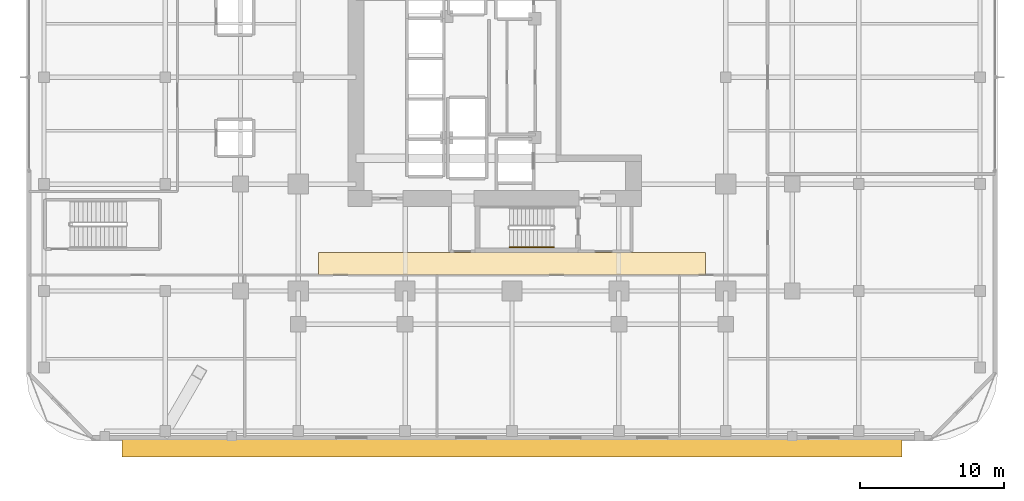
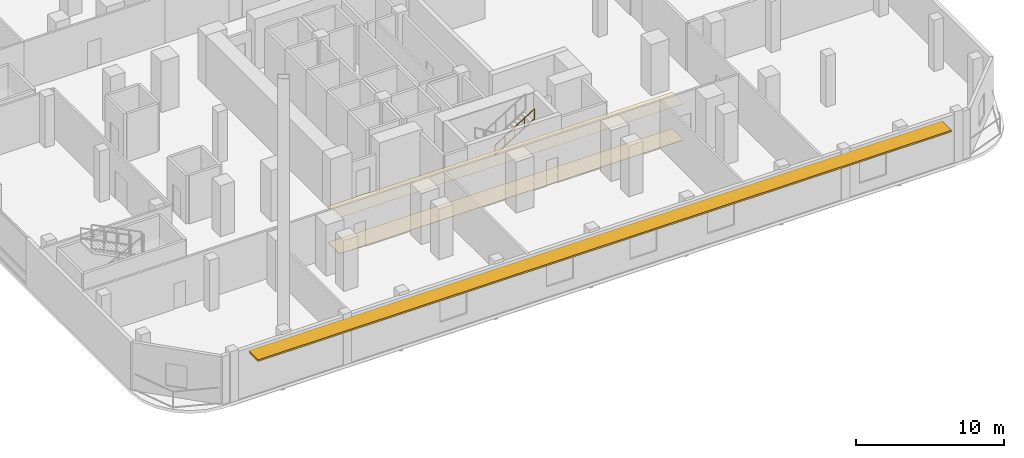
# One storey, part 14 of 19: 2 coverings, 1 railing, 1 shading device.
"""IFC4 building model written with IfcOpenShell, lengths in metres."""

from ifc_helpers import new_model, si_unit, direction, frame, origin, origin_2d, place, context, subcontext, project, spatial, polyline, rectangle, outline, extrude, material, layer, layer_set, type_object, element, save


model = new_model("IFC4")

# Units and contexts
model_context = context("Model", 3, precision=1e-05, world=origin(), true_north=direction((0.0, 1.0)))
body_context = subcontext(model_context, "Body", "Model", "MODEL_VIEW")
ifc_project = project(units=[si_unit("LENGTHUNIT", "METRE"), si_unit("AREAUNIT", "SQUARE_METRE"), si_unit("VOLUMEUNIT", "CUBIC_METRE"), si_unit("PLANEANGLEUNIT", "RADIAN"), si_unit("MASSUNIT", "GRAM", prefix="KILO")], contexts=[model_context])

# Site, building, storey
site_placement = place(None, origin())
site = spatial("IfcSite", under=ifc_project, at=site_placement, CompositionType="ELEMENT")
building_placement = place(site_placement, origin())
building = spatial("IfcBuilding", under=site, at=building_placement, Name="Khorvyn Point Tower", CompositionType="ELEMENT")
storey_placement = place(building_placement, frame((0.0, 0.0, 4.800048828125)))
storey = spatial("IfcBuildingStorey", under=building, at=storey_placement, Name="L02", CompositionType="ELEMENT", Elevation=4.800048828125)

# Shading device
ifc_material_1 = material(Name="Bronze anodised aluminium 6063-T6", Category="aluminium")
ifc_layer_1 = layer(ifc_material_1, 0.139892578125)
ifc_layer_set_1 = layer_set([ifc_layer_1], Name="Anodised Aluminium Horizontal Monsoon Sunshade Canopy")
shading_device_type = type_object("IfcShadingDeviceType", Name="Anodised Aluminium Horizontal Monsoon Sunshade Canopy", PredefinedType="AWNING", material=ifc_layer_set_1)
shading_device_placement = place(storey_placement, frame((0.0, 0.0, 3.5400390625)))
element("IfcShadingDevice", 1, at=shading_device_placement, inside=storey, type_object=shading_device_type, Name="L02 South Classroom Monsoon Sunshade", PredefinedType="AWNING", context=body_context, shape_type="SweptSolid", body=[
    extrude(outline(polyline([(-27.0, -26.280029296875), (27.0, -26.280029296875), (27.0, -25.030029296875), (-27.0, -25.030029296875), (-27.0, -26.280029296875)])), origin(), (0.0, 0.0, 1.0), 0.139892578125),
])

# Coverings
ifc_material_2 = material(Name="Mineral-fibre acoustic ceiling board", Category="gypsum")
ifc_layer_2 = layer(ifc_material_2, 0.02001953125)
ifc_layer_set_2 = layer_set([ifc_layer_2], Name="Perforated Mineral-Fibre Acoustic Suspended Ceiling 20")
covering_type_1 = type_object("IfcCoveringType", Name="Perforated Mineral-Fibre Acoustic Suspended Ceiling 20", PredefinedType="CEILING", material=ifc_layer_set_2)
covering_1_placement = place(storey_placement, frame((0.0, 0.0, 2.97998046875)))
element("IfcCovering", 2, at=covering_1_placement, inside=storey, type_object=covering_type_1, Name="L02 South Corridor Acoustic Ceiling", PredefinedType="CEILING", context=body_context, shape_type="SweptSolid", body=[
    extrude(outline(polyline([(-13.39990234375, -13.7099609375), (13.39990234375, -13.7099609375), (13.39990234375, -12.139892578125), (-13.39990234375, -12.139892578125), (-13.39990234375, -13.7099609375)])), origin(), (0.0, 0.0, 1.0), 0.02001953125),
])
ifc_material_3 = material(Name="Vitrified porcelain terrazzo tile", Category="ceramic")
ifc_layer_3 = layer(ifc_material_3, 0.01806640625)
ifc_layer_set_3 = layer_set([ifc_layer_3], Name="Porcelain Terrazzo Corridor Floor Finish Tile 18")
covering_type_2 = type_object("IfcCoveringType", Name="Porcelain Terrazzo Corridor Floor Finish Tile 18", PredefinedType="FLOORING", material=ifc_layer_set_3)
covering_2_placement = place(storey_placement, origin())
element("IfcCovering", 3, at=covering_2_placement, inside=storey, type_object=covering_type_2, Name="L02 South Corridor Terrazzo Flooring", PredefinedType="FLOORING", context=body_context, shape_type="SweptSolid", body=[
    extrude(outline(polyline([(-13.39990234375, -13.7099609375), (13.39990234375, -13.7099609375), (13.39990234375, -12.139892578125), (-13.39990234375, -12.139892578125), (-13.39990234375, -13.7099609375)])), origin(), (0.0, 0.0, 1.0), 0.01806640625),
])

# Railing
ifc_material_4 = material(Name="Stainless steel 1.4301", Category="steel")
railing_type = type_object("IfcRailingType", Name="Stainless Steel 304 Stair Pitch Handrail 900", PredefinedType="HANDRAIL", material=ifc_material_4)
railing_placement = place(storey_placement, frame((-0.179931640625, -11.77001953125, 2.27490234375)))
element("IfcRailing", 4, at=railing_placement, inside=storey, type_object=railing_type, Name="L02 ST-01 stair handrail 2", PredefinedType="HANDRAIL", context=body_context, shape_type="SweptSolid", body=[
    extrude(rectangle(XDim=0.048095703125, YDim=0.048095703125, at=origin_2d()), frame((0.0, 0.0, 0.8759765625), z_axis=(0.847979421464, 0.0, 0.530029150871), x_axis=(0.0, 1.0, 0.0)), (0.0, 0.0, 1.0), 3.632080078125),
    extrude(rectangle(XDim=0.048095703125, YDim=0.048095703125, at=origin_2d()), frame((0.0, 0.0, 0.080078125), z_axis=(0.847979421464, 0.0, 0.530029150871), x_axis=(0.0, 1.0, 0.0)), (0.0, 0.0, 1.0), 3.632080078125),
    extrude(rectangle(XDim=0.0419921875, YDim=0.0419921875, at=origin_2d()), origin(), (0.0, 0.0, 1.0), 0.851806640625),
    extrude(rectangle(XDim=0.0419921875, YDim=0.0419921875, at=origin_2d()), frame((0.77001953125, 0.0, 0.481201171875)), (0.0, 0.0, 1.0), 0.851806640625),
    extrude(rectangle(XDim=0.0419921875, YDim=0.0419921875, at=origin_2d()), frame((1.5400390625, 0.0, 0.96240234375)), (0.0, 0.0, 1.0), 0.851806640625),
    extrude(rectangle(XDim=0.0419921875, YDim=0.0419921875, at=origin_2d()), frame((2.309814453125, 0.0, 1.44384765625)), (0.0, 0.0, 1.0), 0.851806640625),
    extrude(rectangle(XDim=0.0419921875, YDim=0.0419921875, at=origin_2d()), frame((3.079833984375, 0.0, 1.925048828125)), (0.0, 0.0, 1.0), 0.851806640625),
])

save(model, "model.ifc")
